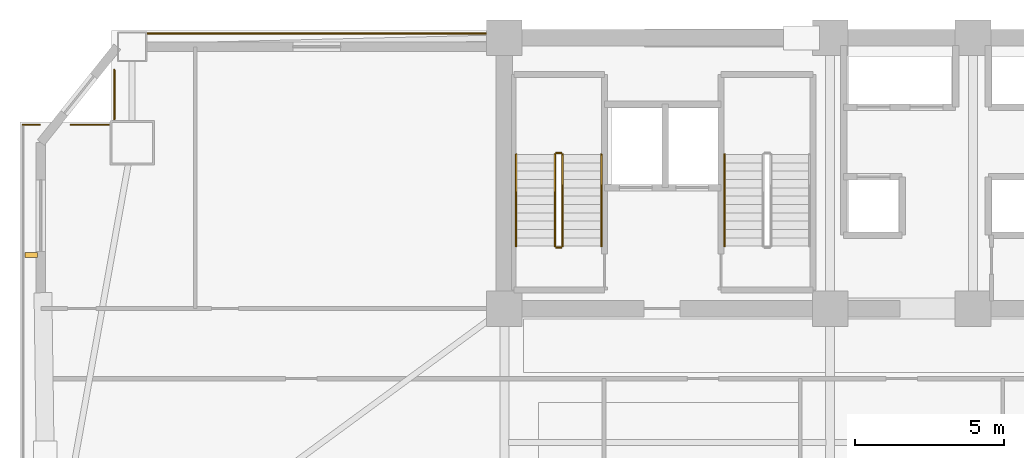
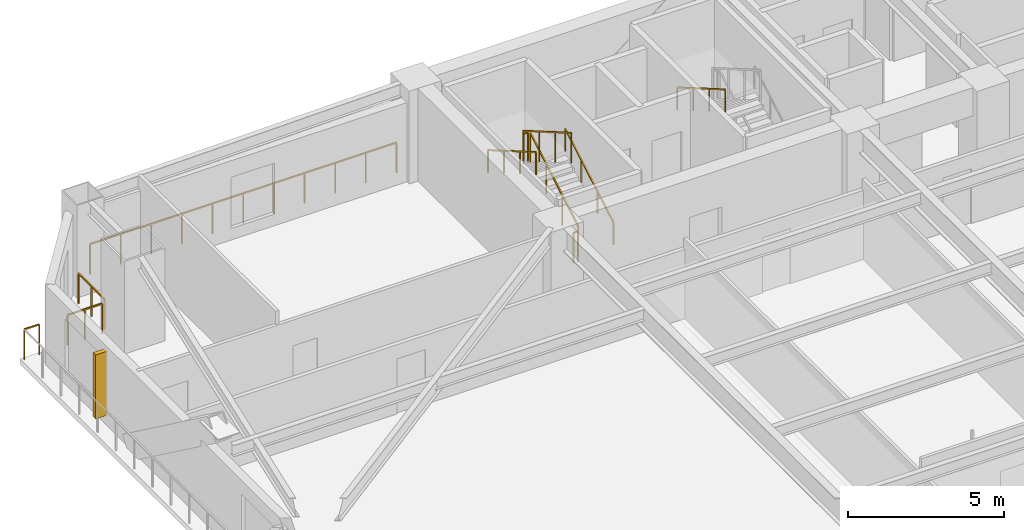
# One storey, part 14 of 16: 11 railings, 1 shading device.
"""IFC4 building model written with IfcOpenShell, lengths in metres."""

import ifcopenshell
import ifcopenshell.guid

model = None  # the IFC model being written
_history = None  # IfcOwnerHistory: only IFC2X3 demands one
_inside = {}  # id of a spatial element -> (the spatial element, [elements in it])
_under = {}  # id of a project, library or spatial element -> (it, [spatial elements below it])
_declared = {}  # id of a project -> (the project, [libraries it declares])
_typed = {}  # id of a type object -> (the type object, [elements of that type])
_made_of = {}  # id of a material, layer set ... -> (it, [elements and type objects made of it])


def new_model(schema):
    """Start an empty IFC model of exactly this schema.

    Asked for "IFC4X3", IfcOpenShell would pick the latest addendum, in which some entities
    have other attributes; the version numbers below select the first issue.
    IFC2X3 requires an IfcOwnerHistory on every rooted entity: one is made here for all.
    """
    global model, _history
    if schema == "IFC4X3":
        model = ifcopenshell.file(schema_version=(4, 3, 0, 0))
    else:
        model = ifcopenshell.file(schema=schema)
    _inside.clear()
    _under.clear()
    _declared.clear()
    _typed.clear()
    _made_of.clear()
    _history = None
    if model.schema == "IFC2X3":
        org = make("IfcOrganization", Name="unknown")
        user = make(
            "IfcPersonAndOrganization",
            ThePerson=make("IfcPerson", FamilyName="unknown"),
            TheOrganization=org,
        )
        app = make(
            "IfcApplication",
            ApplicationDeveloper=org,
            Version="unknown",
            ApplicationFullName="unknown",
            ApplicationIdentifier="unknown",
        )
        _history = make(
            "IfcOwnerHistory",
            OwningUser=user,
            OwningApplication=app,
            ChangeAction="ADDED",
            CreationDate=0,
        )
    return model


def make(cls, **values):
    """One entity of the class cls with the attributes given. An attribute that is None is left unset."""
    return model.create_entity(
        cls, **{name: value for name, value in values.items() if value is not None}
    )


def rooted(cls, **values):
    """An entity with a GlobalId (a new one), such as an element, a storey or a relation."""
    return make(cls, GlobalId=ifcopenshell.guid.new(), OwnerHistory=_history, **values)


def si_unit(unit_type, name, prefix=None):
    """IfcSIUnit, for example si_unit("LENGTHUNIT", "METRE", prefix="MILLI")."""
    return make("IfcSIUnit", UnitType=unit_type, Prefix=prefix, Name=name)


def assignment(units):
    """IfcUnitAssignment: the units of a project."""
    return None if units is None else make("IfcUnitAssignment", Units=units)


def point(xyz):
    """IfcCartesianPoint."""
    return None if xyz is None else make("IfcCartesianPoint", Coordinates=xyz)


def direction(xyz):
    """IfcDirection."""
    return None if xyz is None else make("IfcDirection", DirectionRatios=xyz)


def frame(location, z_axis=None, x_axis=None):
    """IfcAxis2Placement3D, a coordinate frame: its origin and axes. An axis left out is left unset."""
    return make(
        "IfcAxis2Placement3D",
        Location=point(location),
        Axis=direction(z_axis),
        RefDirection=direction(x_axis),
    )


def frame_2d(location, x_axis=None):
    """IfcAxis2Placement2D, a coordinate frame in the plane: its origin and x axis."""
    return make(
        "IfcAxis2Placement2D", Location=point(location), RefDirection=direction(x_axis)
    )


def origin():
    """The frame at (0, 0, 0) with its axes left unset."""
    return frame((0.0, 0.0, 0.0))


def origin_2d():
    """The frame at (0, 0) in the plane with its x axis left unset."""
    return frame_2d((0.0, 0.0))


def place(relative_to, where):
    """IfcLocalPlacement: puts the frame where relative to a parent placement (None: the world)."""
    return make(
        "IfcLocalPlacement", PlacementRelTo=relative_to, RelativePlacement=where
    )


def context(
    kind, dimensions, precision=None, world=None, true_north=None, identifier=None
):
    """IfcGeometricRepresentationContext, for example the 3D "Model" context."""
    return make(
        "IfcGeometricRepresentationContext",
        ContextIdentifier=identifier,
        ContextType=kind,
        CoordinateSpaceDimension=dimensions,
        Precision=precision,
        WorldCoordinateSystem=world,
        TrueNorth=true_north,
    )


def subcontext(parent, identifier, kind, view, scale=None):
    """IfcGeometricRepresentationSubContext, for example "Body" below "Model"."""
    return make(
        "IfcGeometricRepresentationSubContext",
        ContextIdentifier=identifier,
        ContextType=kind,
        ParentContext=parent,
        TargetScale=scale,
        TargetView=view,
    )


def project(units=None, contexts=None):
    """IfcProject with its units and contexts."""
    return rooted(
        "IfcProject",
        Name="project",
        RepresentationContexts=contexts,
        UnitsInContext=assignment(units),
    )


def spatial(cls, under=None, at=None, **own):
    """A site, building, storey or space (cls), placed at a placement, below another one or the project."""
    s = rooted(cls, ObjectPlacement=at, **own)
    if under is not None:
        _under.setdefault(under.id(), (under, []))[1].append(s)
    return s


def profile(cls, at=None, kind="AREA", **sizes):
    """A parametric profile (cls). Its sizes go by their IFC names, for example OverallWidth=200.0."""
    return make(cls, ProfileType=kind, Position=at, **sizes)


def rectangle(**sizes):
    """IfcRectangleProfileDef."""
    return profile("IfcRectangleProfileDef", **sizes)


def extrude(swept, where, along, depth):
    """IfcExtrudedAreaSolid: the profile swept, set in the frame where, extruded along a direction by depth."""
    return make(
        "IfcExtrudedAreaSolid",
        SweptArea=swept,
        Position=where,
        ExtrudedDirection=direction(along),
        Depth=depth,
    )


def shape(context_of_items, identifier, shape_type, items):
    """IfcShapeRepresentation: the items that make up one representation, for example the "Body"."""
    return make(
        "IfcShapeRepresentation",
        ContextOfItems=context_of_items,
        RepresentationIdentifier=identifier,
        RepresentationType=shape_type,
        Items=items,
    )


def source(mapping_origin, context_of_items, identifier, shape_type, items):
    """IfcRepresentationMap: a shape defined once, which mapped items show again and again."""
    return make(
        "IfcRepresentationMap",
        MappingOrigin=mapping_origin,
        MappedRepresentation=shape(context_of_items, identifier, shape_type, items),
    )


def transform(
    local_origin,
    x_axis=None,
    y_axis=None,
    z_axis=None,
    scale=None,
    scale2=None,
    scale3=None,
    uniform=True,
):
    """IfcCartesianTransformationOperator3D, or its non-uniform kind. x_axis, y_axis, z_axis: its Axis1, 2, 3."""
    if uniform:
        return make(
            "IfcCartesianTransformationOperator3D",
            Axis1=direction(x_axis),
            Axis2=direction(y_axis),
            LocalOrigin=point(local_origin),
            Scale=scale,
            Axis3=direction(z_axis),
        )
    return make(
        "IfcCartesianTransformationOperator3DnonUniform",
        Axis1=direction(x_axis),
        Axis2=direction(y_axis),
        LocalOrigin=point(local_origin),
        Scale=scale,
        Axis3=direction(z_axis),
        Scale2=scale2,
        Scale3=scale3,
    )


def mapped(mapping_source, mapping_target):
    """IfcMappedItem: shows the shape of a source again, moved by a transform."""
    return make(
        "IfcMappedItem", MappingSource=mapping_source, MappingTarget=mapping_target
    )


def material(Name=None, Category=None):
    """IfcMaterial."""
    return make("IfcMaterial", Name=Name, Category=Category)


def made_of(thing, what):
    """Note that an element or type object is made of a material, layer set ...; save() writes the relation."""
    if what is not None:
        _made_of.setdefault(what.id(), (what, []))[1].append(thing)
    return thing


def type_object(cls, material=None, **own):
    """A type object (cls), such as IfcWallType, which elements share."""
    return made_of(rooted(cls, **own), material)


def element(
    cls,
    number,
    at=None,
    inside=None,
    cuts=None,
    type_object=None,
    material=None,
    context=None,
    identifier="Body",
    shape_type=None,
    held_by="IfcProductDefinitionShape",
    body=None,
    shapes=None,
    **own,
):
    """One element of the class cls, such as IfcWall. Its Tag is "e" and its number.

    at: its placement. inside: the storey or other place that contains it. cuts: it is an
    opening in that element (IfcRelVoidsElement). A single representation is given by context,
    identifier, shape_type and body (its items); several are given by shapes. held_by: the class
    of the entity that holds the representations. save() writes the other relations.
    """
    e = rooted(cls, Tag="e%d" % number, ObjectPlacement=at, **own)
    if body is not None:
        shapes = [shape(context, identifier, shape_type, body)]
    if shapes is not None:
        e.Representation = make(held_by, Representations=shapes)
    if inside is not None:
        _inside.setdefault(inside.id(), (inside, []))[1].append(e)
    if cuts is not None:
        rooted(
            "IfcRelVoidsElement", RelatingBuildingElement=cuts, RelatedOpeningElement=e
        )
    if type_object is not None:
        _typed.setdefault(type_object.id(), (type_object, []))[1].append(e)
    return made_of(e, material)


def aggregate(whole, parts):
    """IfcRelAggregates: a whole, such as a stair, and the parts it consists of."""
    return rooted("IfcRelAggregates", RelatingObject=whole, RelatedObjects=parts)


def save(model, path):
    """Write the relations noted so far, then the file.

    IfcRelAggregates (storeys below a building ...), IfcRelContainedInSpatialStructure (elements
    in a storey), IfcRelDefinesByType, IfcRelAssociatesMaterial and IfcRelDeclares: one each for
    every whole, place, type object, material and project.
    """
    for whole, parts in _under.values():
        aggregate(whole, parts)
    for where, things in _inside.values():
        rooted(
            "IfcRelContainedInSpatialStructure",
            RelatedElements=things,
            RelatingStructure=where,
        )
    for kind, things in _typed.values():
        rooted("IfcRelDefinesByType", RelatedObjects=things, RelatingType=kind)
    for what, things in _made_of.values():
        rooted("IfcRelAssociatesMaterial", RelatedObjects=things, RelatingMaterial=what)
    for by, libraries in _declared.values():
        rooted("IfcRelDeclares", RelatingContext=by, RelatedDefinitions=libraries)
    model.write(path)


model = new_model("IFC4")

# Units and contexts
model_context = context("Model", 3, precision=1e-05, world=origin(), true_north=direction((0.0, 1.0)))
body_context = subcontext(model_context, "Body", "Model", "MODEL_VIEW")
ifc_project = project(units=[si_unit("LENGTHUNIT", "METRE"), si_unit("AREAUNIT", "SQUARE_METRE"), si_unit("VOLUMEUNIT", "CUBIC_METRE"), si_unit("PLANEANGLEUNIT", "RADIAN"), si_unit("MASSUNIT", "GRAM", prefix="KILO")], contexts=[model_context])

# Site, building, storey
site_placement = place(None, origin())
site = spatial("IfcSite", under=ifc_project, at=site_placement, CompositionType="ELEMENT")
building_placement = place(site_placement, origin())
building = spatial("IfcBuilding", under=site, at=building_placement, Name="Giltprow Tower", CompositionType="ELEMENT")
storey_placement = place(building_placement, frame((0.0, 0.0, 91.300048828125)))
storey = spatial("IfcBuildingStorey", under=building, at=storey_placement, Name="L22", CompositionType="ELEMENT", Elevation=91.300048828125)

# Railings
ifc_material = material(Name="Anodized bronze", Category="metal")
railing_type_1 = type_object("IfcRailingType", Name="RAIL-BALC-GUARD-1200", PredefinedType="BALUSTRADE", material=ifc_material)
railing_1_placement = place(storey_placement, frame((3.675048828125, 43.6298828125, 0.0)))
element("IfcRailing", 1, at=railing_1_placement, inside=storey, type_object=railing_type_1, Name="L22 Corner Apron Edge Balustrade 6", PredefinedType="BALUSTRADE", context=body_context, shape_type="SweptSolid", body=[
    extrude(rectangle(XDim=0.048095703125, YDim=0.048095703125, at=origin_2d()), frame((0.0, 0.0, 1.17578125), z_axis=(1.0, 0.0, 0.0), x_axis=(0.0, 1.0, 0.0)), (0.0, 0.0, 1.0), 0.553955078125),
    extrude(rectangle(XDim=0.0419921875, YDim=0.0419921875, at=origin_2d()), origin(), (0.0, 0.0, 1.0), 1.15185546875),
    extrude(rectangle(XDim=0.0419921875, YDim=0.0419921875, at=origin_2d()), frame((0.553955078125, 0.0, 0.0)), (0.0, 0.0, 1.0), 1.15185546875),
])
railing_2_placement = place(storey_placement, frame((5.278076171875, 43.6298828125, 0.0)))
element("IfcRailing", 2, at=railing_2_placement, inside=storey, type_object=railing_type_1, Name="L22 Corner Apron Edge Balustrade 7", PredefinedType="BALUSTRADE", context=body_context, shape_type="SweptSolid", body=[
    extrude(rectangle(XDim=0.048095703125, YDim=0.048095703125, at=origin_2d()), frame((0.0, 0.0, 1.17578125), z_axis=(1.0, 0.0, 0.0), x_axis=(0.0, 1.0, 0.0)), (0.0, 0.0, 1.0), 1.281982421875),
    extrude(rectangle(XDim=0.0419921875, YDim=0.0419921875, at=origin_2d()), origin(), (0.0, 0.0, 1.0), 1.15185546875),
    extrude(rectangle(XDim=0.0419921875, YDim=0.0419921875, at=origin_2d()), frame((0.64111328125, 0.0, 0.0)), (0.0, 0.0, 1.0), 1.15185546875),
    extrude(rectangle(XDim=0.0419921875, YDim=0.0419921875, at=origin_2d()), frame((1.281982421875, 0.0, 0.0)), (0.0, 0.0, 1.0), 1.15185546875),
])
railing_3_placement = place(storey_placement, frame((6.7451171875, 43.81494140625, 0.0)))
element("IfcRailing", 3, at=railing_3_placement, inside=storey, type_object=railing_type_1, Name="L22 Corner Apron Edge Balustrade 8", PredefinedType="BALUSTRADE", context=body_context, shape_type="SweptSolid", body=[
    extrude(rectangle(XDim=0.048095703125, YDim=0.048095703125, at=origin_2d()), frame((0.0, 0.0, 1.17578125), z_axis=(0.0, 1.0, 0.0), x_axis=(-1.0, 0.0, 0.0)), (0.0, 0.0, 1.0), 1.652099609375),
    extrude(rectangle(XDim=0.0419921875, YDim=0.0419921875, at=origin_2d()), origin(), (0.0, 0.0, 1.0), 1.15185546875),
    extrude(rectangle(XDim=0.0419921875, YDim=0.0419921875, at=origin_2d()), frame((0.0, 0.826171875, 0.0)), (0.0, 0.0, 1.0), 1.15185546875),
    extrude(rectangle(XDim=0.0419921875, YDim=0.0419921875, at=origin_2d()), frame((0.0, 1.652099609375, 0.0)), (0.0, 0.0, 1.0), 1.15185546875),
])
railing_4_placement = place(storey_placement, frame((7.8798828125, 46.699951171875, 0.0)))
element("IfcRailing", 4, at=railing_4_placement, inside=storey, type_object=railing_type_1, Name="L22 Corner Apron Edge Balustrade 9", PredefinedType="BALUSTRADE", context=body_context, shape_type="SweptSolid", body=[
    extrude(rectangle(XDim=0.048095703125, YDim=0.048095703125, at=origin_2d()), frame((0.0, 0.0, 1.17578125), z_axis=(1.0, 0.0, 0.0), x_axis=(0.0, 1.0, 0.0)), (0.0, 0.0, 1.0), 11.335205078125),
    extrude(rectangle(XDim=0.0419921875, YDim=0.0419921875, at=origin_2d()), origin(), (0.0, 0.0, 1.0), 1.15185546875),
    extrude(rectangle(XDim=0.0419921875, YDim=0.0419921875, at=origin_2d()), frame((1.133544921875, 0.0, 0.0)), (0.0, 0.0, 1.0), 1.15185546875),
    extrude(rectangle(XDim=0.0419921875, YDim=0.0419921875, at=origin_2d()), frame((2.26708984375, 0.0, 0.0)), (0.0, 0.0, 1.0), 1.15185546875),
    extrude(rectangle(XDim=0.0419921875, YDim=0.0419921875, at=origin_2d()), frame((3.400634765625, 0.0, 0.0)), (0.0, 0.0, 1.0), 1.15185546875),
    extrude(rectangle(XDim=0.0419921875, YDim=0.0419921875, at=origin_2d()), frame((4.5341796875, 0.0, 0.0)), (0.0, 0.0, 1.0), 1.15185546875),
    extrude(rectangle(XDim=0.0419921875, YDim=0.0419921875, at=origin_2d()), frame((5.66748046875, 0.0, 0.0)), (0.0, 0.0, 1.0), 1.15185546875),
    extrude(rectangle(XDim=0.0419921875, YDim=0.0419921875, at=origin_2d()), frame((6.801025390625, 0.0, 0.0)), (0.0, 0.0, 1.0), 1.15185546875),
    extrude(rectangle(XDim=0.0419921875, YDim=0.0419921875, at=origin_2d()), frame((7.9345703125, 0.0, 0.0)), (0.0, 0.0, 1.0), 1.15185546875),
    extrude(rectangle(XDim=0.0419921875, YDim=0.0419921875, at=origin_2d()), frame((9.068115234375, 0.0, 0.0)), (0.0, 0.0, 1.0), 1.15185546875),
    extrude(rectangle(XDim=0.0419921875, YDim=0.0419921875, at=origin_2d()), frame((10.20166015625, 0.0, 0.0)), (0.0, 0.0, 1.0), 1.15185546875),
    extrude(rectangle(XDim=0.0419921875, YDim=0.0419921875, at=origin_2d()), frame((11.335205078125, 0.0, 0.0)), (0.0, 0.0, 1.0), 1.15185546875),
])
railing_type_2 = type_object("IfcRailingType", Name="RAIL-STAIR-GUARD-1200", PredefinedType="GUARDRAIL", material=ifc_material)
railing_5_placement = place(storey_placement, frame((21.81005859375, 39.550048828125, 0.162353515625)))
element("IfcRailing", 5, at=railing_5_placement, inside=storey, type_object=railing_type_2, Name="L22 ST-1 stair guard 1", PredefinedType="GUARDRAIL", context=body_context, shape_type="SweptSolid", body=[
    extrude(rectangle(XDim=0.048095703125, YDim=0.048095703125, at=origin_2d()), frame((0.0, 0.0, 1.17578125), z_axis=(0.0, 0.864873446163, 0.501989962173), x_axis=(-1.0, 0.0, 0.0)), (0.0, 0.0, 1.0), 3.56103515625),
    extrude(rectangle(XDim=0.0419921875, YDim=0.0419921875, at=origin_2d()), origin(), (0.0, 0.0, 1.0), 1.15185546875),
    extrude(rectangle(XDim=0.0419921875, YDim=0.0419921875, at=origin_2d()), frame((0.0, 1.026611328125, 0.595947265625)), (0.0, 0.0, 1.0), 1.15185546875),
    extrude(rectangle(XDim=0.0419921875, YDim=0.0419921875, at=origin_2d()), frame((0.0, 2.05322265625, 1.191650390625)), (0.0, 0.0, 1.0), 1.15185546875),
    extrude(rectangle(XDim=0.0419921875, YDim=0.0419921875, at=origin_2d()), frame((0.0, 3.079833984375, 1.78759765625)), (0.0, 0.0, 1.0), 1.15185546875),
])
railing_6_placement = place(storey_placement, frame((21.760009765625, 42.679931640625, 1.949951171875)))
element("IfcRailing", 6, at=railing_6_placement, inside=storey, type_object=railing_type_2, Name="L22 ST-1 stair guard 2", PredefinedType="GUARDRAIL", context=body_context, shape_type="SweptSolid", body=[
    extrude(rectangle(XDim=0.048095703125, YDim=0.048095703125, at=origin_2d()), frame((0.0, 0.0, 1.17578125), z_axis=(-1.0, 0.0, 0.0), x_axis=(0.0, -1.0, 0.0)), (0.0, 0.0, 1.0), 0.159912109375),
    extrude(rectangle(XDim=0.0419921875, YDim=0.0419921875, at=origin_2d()), origin(), (0.0, 0.0, 1.0), 1.15185546875),
    extrude(rectangle(XDim=0.0419921875, YDim=0.0419921875, at=origin_2d()), frame((-0.159912109375, 0.0, 0.0)), (0.0, 0.0, 1.0), 1.15185546875),
])
railing_7_placement = place(storey_placement, frame((21.550048828125, 42.6298828125, 2.112548828125)))
element("IfcRailing", 7, at=railing_7_placement, inside=storey, type_object=railing_type_2, Name="L22 ST-1 stair guard 3", PredefinedType="GUARDRAIL", context=body_context, shape_type="SweptSolid", body=[
    extrude(rectangle(XDim=0.048095703125, YDim=0.048095703125, at=origin_2d()), frame((0.0, 0.0, 1.17578125), z_axis=(0.0, -0.864903211148, 0.501938676878), x_axis=(1.0, 0.0, 0.0)), (0.0, 0.0, 1.0), 3.560791015625),
    extrude(rectangle(XDim=0.0419921875, YDim=0.0419921875, at=origin_2d()), origin(), (0.0, 0.0, 1.0), 1.15185546875),
    extrude(rectangle(XDim=0.0419921875, YDim=0.0419921875, at=origin_2d()), frame((0.0, -1.026611328125, 0.595703125)), (0.0, 0.0, 1.0), 1.15185546875),
    extrude(rectangle(XDim=0.0419921875, YDim=0.0419921875, at=origin_2d()), frame((0.0, -2.05322265625, 1.191650390625)), (0.0, 0.0, 1.0), 1.15185546875),
    extrude(rectangle(XDim=0.0419921875, YDim=0.0419921875, at=origin_2d()), frame((0.0, -3.079833984375, 1.787353515625)), (0.0, 0.0, 1.0), 1.15185546875),
])
railing_8_placement = place(storey_placement, frame((21.760009765625, 39.5, 0.0)))
element("IfcRailing", 8, at=railing_8_placement, inside=storey, type_object=railing_type_2, Name="L22 ST-1 stair guard 4", PredefinedType="GUARDRAIL", context=body_context, shape_type="SweptSolid", body=[
    extrude(rectangle(XDim=0.048095703125, YDim=0.048095703125, at=origin_2d()), frame((0.0, 0.0, 1.17578125), z_axis=(-1.0, 0.0, 0.0), x_axis=(0.0, -1.0, 0.0)), (0.0, 0.0, 1.0), 0.159912109375),
    extrude(rectangle(XDim=0.0419921875, YDim=0.0419921875, at=origin_2d()), origin(), (0.0, 0.0, 1.0), 1.15185546875),
    extrude(rectangle(XDim=0.0419921875, YDim=0.0419921875, at=origin_2d()), frame((-0.159912109375, 0.0, 0.0)), (0.0, 0.0, 1.0), 1.15185546875),
])
railing_type_3 = type_object("IfcRailingType", Name="RAIL-STAIR-HAND-900", PredefinedType="HANDRAIL", material=ifc_material)
railing_9_placement = place(storey_placement, frame((23.110107421875, 39.550048828125, 0.162353515625)))
element("IfcRailing", 9, at=railing_9_placement, inside=storey, type_object=railing_type_3, Name="L22 ST-1 stair handrail 1", PredefinedType="HANDRAIL", context=body_context, shape_type="SweptSolid", body=[
    extrude(rectangle(XDim=0.048095703125, YDim=0.048095703125, at=origin_2d()), frame((0.0, 0.0, 0.8759765625), z_axis=(0.0, 0.864873446163, 0.501989962173), x_axis=(-1.0, 0.0, 0.0)), (0.0, 0.0, 1.0), 3.56103515625),
    extrude(rectangle(XDim=0.0419921875, YDim=0.0419921875, at=origin_2d()), origin(), (0.0, 0.0, 1.0), 0.851806640625),
    extrude(rectangle(XDim=0.0419921875, YDim=0.0419921875, at=origin_2d()), frame((0.0, 1.026611328125, 0.595947265625)), (0.0, 0.0, 1.0), 0.851806640625),
    extrude(rectangle(XDim=0.0419921875, YDim=0.0419921875, at=origin_2d()), frame((0.0, 2.05322265625, 1.191650390625)), (0.0, 0.0, 1.0), 0.851806640625),
    extrude(rectangle(XDim=0.0419921875, YDim=0.0419921875, at=origin_2d()), frame((0.0, 3.079833984375, 1.78759765625)), (0.0, 0.0, 1.0), 0.851806640625),
])
for number, where, name in (
    (10, (20.25, 42.6298828125, 2.112548828125), "L22 ST-1 stair handrail 2"),
    (11, (27.25, 42.6298828125, 2.112548828125), "L22 ST-2 stair handrail 2"),
):
    element("IfcRailing", number, at=place(storey_placement, frame(where)), inside=storey, type_object=railing_type_3, Name=name, PredefinedType="HANDRAIL", context=body_context, shape_type="SweptSolid", body=[
        extrude(rectangle(XDim=0.048095703125, YDim=0.048095703125, at=origin_2d()), frame((0.0, 0.0, 0.8759765625), z_axis=(0.0, -0.864903211148, 0.501938676878), x_axis=(1.0, 0.0, 0.0)), (0.0, 0.0, 1.0), 3.560791015625),
        extrude(rectangle(XDim=0.0419921875, YDim=0.0419921875, at=origin_2d()), origin(), (0.0, 0.0, 1.0), 0.851806640625),
        extrude(rectangle(XDim=0.0419921875, YDim=0.0419921875, at=origin_2d()), frame((0.0, -1.026611328125, 0.595703125)), (0.0, 0.0, 1.0), 0.851806640625),
        extrude(rectangle(XDim=0.0419921875, YDim=0.0419921875, at=origin_2d()), frame((0.0, -2.05322265625, 1.191650390625)), (0.0, 0.0, 1.0), 0.851806640625),
        extrude(rectangle(XDim=0.0419921875, YDim=0.0419921875, at=origin_2d()), frame((0.0, -3.079833984375, 1.787353515625)), (0.0, 0.0, 1.0), 0.851806640625),
    ])

# Shading device
shading_device_type = type_object("IfcShadingDeviceType", Name="SHD-FIN-420", PredefinedType="USERDEFINED", material=ifc_material)
shared_shape = source(origin(), body_context, "Body", "SweptSolid", [
    extrude(rectangle(XDim=0.419921875, YDim=0.159912109375, at=origin_2d()), origin(), (0.0, 0.0, 1.0), 2.5),
])
shading_device_placement = place(storey_placement, frame((3.955078125, 39.2548828125, 0.349853515625), z_axis=(0.0, 0.0, 1.0), x_axis=(1.0, 0.0, 0.0)))
element("IfcShadingDevice", 12, at=shading_device_placement, inside=storey, type_object=shading_device_type, Name="L22 W Bronze Vertical Fin 2-2", ObjectType="FIN", PredefinedType="USERDEFINED", context=body_context, shape_type="MappedRepresentation", body=[
    mapped(shared_shape, transform((0.0, 0.0, 0.0), x_axis=(1.0, 0.0, 0.0), y_axis=(0.0, 1.0, 0.0), z_axis=(0.0, 0.0, 1.0), scale=1.0)),
])

save(model, "model.ifc")
